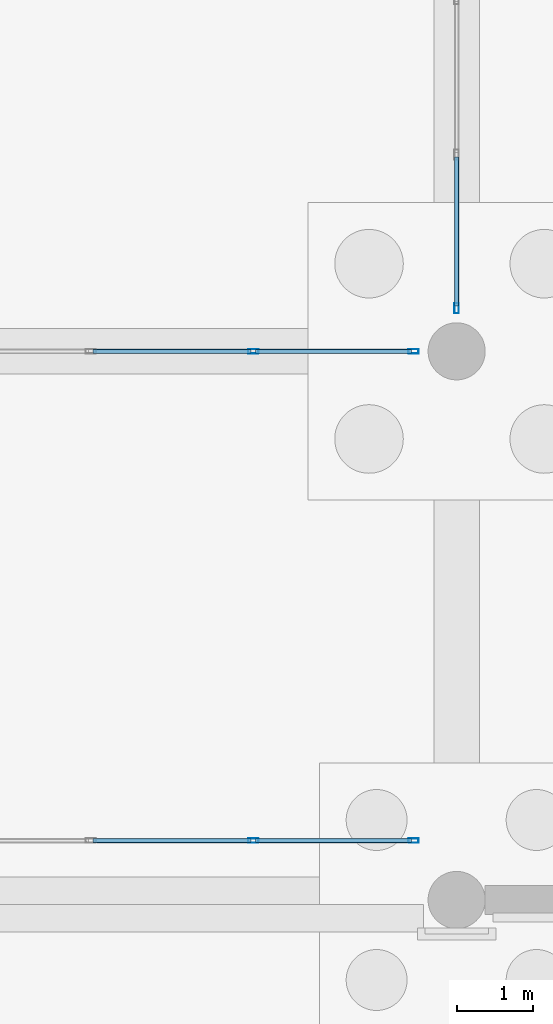
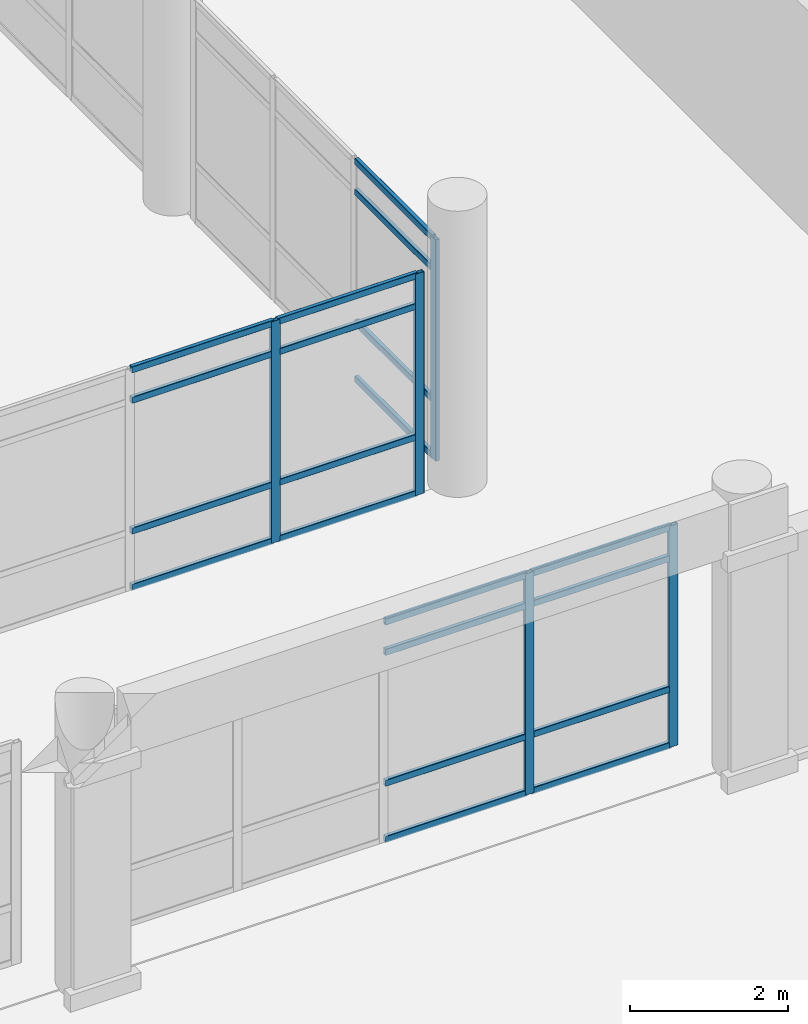
# One storey, part 105 of 196: 25 members, 3 elements without a shape of their own.
"""IFC4 building model written with IfcOpenShell, lengths in metres."""

from ifc_helpers import new_model, si_unit, direction, frame, origin, origin_2d, place, context, subcontext, project, spatial, hollow_rectangle, extrude, material, layer, layer_set, material_profile, profile_set, type_object, element, aggregate, save


model = new_model("IFC4")

# Units and contexts
model_context = context("Model", 3, precision=1e-05, world=origin(), true_north=direction((0.0, 1.0)))
body_context = subcontext(model_context, "Body", "Model", "MODEL_VIEW")
ifc_project = project(units=[si_unit("LENGTHUNIT", "METRE"), si_unit("AREAUNIT", "SQUARE_METRE"), si_unit("VOLUMEUNIT", "CUBIC_METRE"), si_unit("PLANEANGLEUNIT", "RADIAN"), si_unit("MASSUNIT", "GRAM", prefix="KILO")], contexts=[model_context])

# Site, building, storey
site_placement = place(None, origin())
site = spatial("IfcSite", under=ifc_project, at=site_placement, CompositionType="ELEMENT")
building_placement = place(site_placement, origin())
building = spatial("IfcBuilding", under=site, at=building_placement, Name="Asteropetra Specialist Clinic", CompositionType="ELEMENT")
storey_placement = place(building_placement, origin())
storey = spatial("IfcBuildingStorey", under=building, at=storey_placement, Name="L00", CompositionType="ELEMENT", Elevation=0.0)

# Curtain wall, members
ifc_material_1 = material(Name="Aluminium and low-E glass", Category="aluminium")
ifc_layer_1 = layer(ifc_material_1, 0.179931640625)
ifc_layer_set_1 = layer_set([ifc_layer_1], Name="Aluminium and low-E glass")
curtain_wall_type_1 = type_object("IfcCurtainWallType", Name="CW-SYS-04", PredefinedType="USERDEFINED", material=ifc_layer_set_1)
curtain_wall_1_placement = place(storey_placement, origin())
curtain_wall_1 = element("IfcCurtainWall", 1, at=curtain_wall_1_placement, inside=storey, type_object=curtain_wall_type_1, Name="Curtain Wall CW-011", ObjectType="UNITISED CURTAIN WALL", PredefinedType="USERDEFINED")
ifc_material_2 = material(Name="Aluminium 6063-T6", Category="aluminium")
ifc_material_profile_1 = material_profile(ifc_material_2, hollow_rectangle(XDim=0.06005859375, YDim=0.135009765625, WallThickness=0.00341796875, InnerFilletRadius=0.00341796875, OuterFilletRadius=0.007080078125, at=origin_2d()), Name="MUL 135x60x3.5")
ifc_profile_set_1 = profile_set([ifc_material_profile_1], Name="Aluminium 6063-T6")
member_type_1 = type_object("IfcMemberType", Name="CWM-135x60", PredefinedType="MULLION", material=ifc_profile_set_1)
member_1_placement = place(storey_placement, frame((64.532470703125, 76.800048828125, 0.0), z_axis=(0.0, 0.0, 1.0), x_axis=(0.0, 1.0, 0.0)))
member_1 = element("IfcMember", 2, at=member_1_placement, type_object=member_type_1, Name="CW-011 mullion 4", PredefinedType="MULLION", context=body_context, shape_type="SweptSolid", body=[
    extrude(hollow_rectangle(XDim=0.06005859375, YDim=0.135009765625, WallThickness=0.00341796875, InnerFilletRadius=0.00341796875, OuterFilletRadius=0.007080078125, at=origin_2d()), origin(), (0.0, 0.0, 1.0), 3.419921875),
])
member_2_placement = place(storey_placement, frame((66.635009765625, 76.800048828125, 0.0), z_axis=(0.0, 0.0, 1.0), x_axis=(0.0, 1.0, 0.0)))
member_2 = element("IfcMember", 3, at=member_2_placement, type_object=member_type_1, Name="CW-011 mullion 5", PredefinedType="MULLION", context=body_context, shape_type="SweptSolid", body=[
    extrude(hollow_rectangle(XDim=0.06005859375, YDim=0.135009765625, WallThickness=0.00341796875, InnerFilletRadius=0.00341796875, OuterFilletRadius=0.007080078125, at=origin_2d()), origin(), (0.0, 0.0, 1.0), 3.419921875),
])

# Curtain wall, member
ifc_material_3 = material(Name="Aluminium and low-E glass", Category="aluminium")
ifc_layer_2 = layer(ifc_material_3, 0.135009765625)
ifc_layer_set_2 = layer_set([ifc_layer_2], Name="Aluminium and low-E glass")
curtain_wall_type_2 = type_object("IfcCurtainWallType", Name="CW-SYS-06", PredefinedType="USERDEFINED", material=ifc_layer_set_2)
curtain_wall_2_placement = place(storey_placement, origin())
curtain_wall_2 = element("IfcCurtainWall", 4, at=curtain_wall_2_placement, inside=storey, type_object=curtain_wall_type_2, Name="Curtain Wall CW-014", ObjectType="UNITISED CURTAIN WALL", PredefinedType="USERDEFINED")
member_3_placement = place(storey_placement, frame((67.199951171875, 77.364990234375, 0.0), z_axis=(0.0, 0.0, 1.0), x_axis=(-1.0, 0.0, 0.0)))
member_3 = element("IfcMember", 5, at=member_3_placement, type_object=member_type_1, Name="CW-014 mullion 1", PredefinedType="MULLION", context=body_context, shape_type="SweptSolid", body=[
    extrude(hollow_rectangle(XDim=0.06005859375, YDim=0.135009765625, WallThickness=0.00341796875, InnerFilletRadius=0.00341796875, OuterFilletRadius=0.007080078125, at=origin_2d()), origin(), (0.0, 0.0, 1.0), 3.419921875),
])

# Curtain wall, members
ifc_material_4 = material(Name="Aluminium and low-E glass", Category="aluminium")
ifc_layer_3 = layer(ifc_material_4, 0.179931640625)
ifc_layer_set_3 = layer_set([ifc_layer_3], Name="Aluminium and low-E glass")
curtain_wall_type_3 = type_object("IfcCurtainWallType", Name="CW-SYS-10", PredefinedType="USERDEFINED", material=ifc_layer_set_3)
curtain_wall_3_placement = place(storey_placement, origin())
curtain_wall_3 = element("IfcCurtainWall", 6, at=curtain_wall_3_placement, inside=storey, type_object=curtain_wall_type_3, Name="Curtain Wall CW-185", ObjectType="STICK GLAZED COLONNADE", PredefinedType="USERDEFINED")
member_4_placement = place(storey_placement, frame((64.532470703125, 70.3798828125, 0.0), z_axis=(0.0, 0.0, 1.0), x_axis=(0.0, 1.0, 0.0)))
member_4 = element("IfcMember", 7, at=member_4_placement, type_object=member_type_1, Name="CW-185 mullion 4", PredefinedType="MULLION", context=body_context, shape_type="SweptSolid", body=[
    extrude(hollow_rectangle(XDim=0.06005859375, YDim=0.135009765625, WallThickness=0.00341796875, InnerFilletRadius=0.00341796875, OuterFilletRadius=0.007080078125, at=origin_2d()), origin(), (0.0, 0.0, 1.0), 3.419921875),
])
member_5_placement = place(storey_placement, frame((66.635009765625, 70.3798828125, 0.0), z_axis=(0.0, 0.0, 1.0), x_axis=(0.0, 1.0, 0.0)))
member_5 = element("IfcMember", 8, at=member_5_placement, type_object=member_type_1, Name="CW-185 mullion 5", PredefinedType="MULLION", context=body_context, shape_type="SweptSolid", body=[
    extrude(hollow_rectangle(XDim=0.06005859375, YDim=0.135009765625, WallThickness=0.00341796875, InnerFilletRadius=0.00341796875, OuterFilletRadius=0.007080078125, at=origin_2d()), origin(), (0.0, 0.0, 1.0), 3.419921875),
])

# Member
ifc_material_5 = material(Name="Aluminium 6063-T6", Category="aluminium")
ifc_material_profile_2 = material_profile(ifc_material_5, hollow_rectangle(XDim=0.06005859375, YDim=0.10009765625, WallThickness=0.00341796875, InnerFilletRadius=0.00341796875, OuterFilletRadius=0.007080078125, at=origin_2d()), Name="TRN 100x60x3.5")
ifc_profile_set_2 = profile_set([ifc_material_profile_2], Name="Aluminium 6063-T6")
member_type_2 = type_object("IfcMemberType", Name="CWT-100x60", PredefinedType="USERDEFINED", material=ifc_profile_set_2)
member_6_placement = place(storey_placement, frame((62.429931640625, 76.800048828125, 0.030029296875), z_axis=(1.0, 0.0, 0.0), x_axis=(0.0, 1.0, 0.0)))
member_6 = element("IfcMember", 9, at=member_6_placement, type_object=member_type_2, Name="CW-011 transom 3.1", ObjectType="TRANSOM", PredefinedType="USERDEFINED", context=body_context, shape_type="SweptSolid", body=[
    extrude(hollow_rectangle(XDim=0.06005859375, YDim=0.10009765625, WallThickness=0.00341796875, InnerFilletRadius=0.00341796875, OuterFilletRadius=0.007080078125, at=origin_2d()), origin(), (0.0, 0.0, 1.0), 2.072509765625),
])

member_7_placement = place(storey_placement, frame((62.429931640625, 76.800048828125, 0.89990234375), z_axis=(1.0, 0.0, 0.0), x_axis=(0.0, 1.0, 0.0)))
member_7 = element("IfcMember", 10, at=member_7_placement, type_object=member_type_2, Name="CW-011 transom 3.2", ObjectType="TRANSOM", PredefinedType="USERDEFINED", context=body_context, shape_type="SweptSolid", body=[
    extrude(hollow_rectangle(XDim=0.06005859375, YDim=0.10009765625, WallThickness=0.00341796875, InnerFilletRadius=0.00341796875, OuterFilletRadius=0.007080078125, at=origin_2d()), origin(), (0.0, 0.0, 1.0), 2.072509765625),
])

member_8_placement = place(storey_placement, frame((62.429931640625, 76.800048828125, 2.919921875), z_axis=(1.0, 0.0, 0.0), x_axis=(0.0, 1.0, 0.0)))
member_8 = element("IfcMember", 11, at=member_8_placement, type_object=member_type_2, Name="CW-011 transom 3.3", ObjectType="TRANSOM", PredefinedType="USERDEFINED", context=body_context, shape_type="SweptSolid", body=[
    extrude(hollow_rectangle(XDim=0.06005859375, YDim=0.10009765625, WallThickness=0.00341796875, InnerFilletRadius=0.00341796875, OuterFilletRadius=0.007080078125, at=origin_2d()), origin(), (0.0, 0.0, 1.0), 2.072509765625),
])

member_9_placement = place(storey_placement, frame((62.429931640625, 76.800048828125, 3.389892578125), z_axis=(1.0, 0.0, 0.0), x_axis=(0.0, 1.0, 0.0)))
member_9 = element("IfcMember", 12, at=member_9_placement, type_object=member_type_2, Name="CW-011 transom 3.4", ObjectType="TRANSOM", PredefinedType="USERDEFINED", context=body_context, shape_type="SweptSolid", body=[
    extrude(hollow_rectangle(XDim=0.06005859375, YDim=0.10009765625, WallThickness=0.00341796875, InnerFilletRadius=0.00341796875, OuterFilletRadius=0.007080078125, at=origin_2d()), origin(), (0.0, 0.0, 1.0), 2.072509765625),
])

member_10_placement = place(storey_placement, frame((64.5625, 76.800048828125, 0.030029296875), z_axis=(1.0, 0.0, 0.0), x_axis=(0.0, 1.0, 0.0)))
member_10 = element("IfcMember", 13, at=member_10_placement, type_object=member_type_2, Name="CW-011 transom 4.1", ObjectType="TRANSOM", PredefinedType="USERDEFINED", context=body_context, shape_type="SweptSolid", body=[
    extrude(hollow_rectangle(XDim=0.06005859375, YDim=0.10009765625, WallThickness=0.00341796875, InnerFilletRadius=0.00341796875, OuterFilletRadius=0.007080078125, at=origin_2d()), origin(), (0.0, 0.0, 1.0), 2.04248046875),
])

member_11_placement = place(storey_placement, frame((64.5625, 76.800048828125, 0.89990234375), z_axis=(1.0, 0.0, 0.0), x_axis=(0.0, 1.0, 0.0)))
member_11 = element("IfcMember", 14, at=member_11_placement, type_object=member_type_2, Name="CW-011 transom 4.2", ObjectType="TRANSOM", PredefinedType="USERDEFINED", context=body_context, shape_type="SweptSolid", body=[
    extrude(hollow_rectangle(XDim=0.06005859375, YDim=0.10009765625, WallThickness=0.00341796875, InnerFilletRadius=0.00341796875, OuterFilletRadius=0.007080078125, at=origin_2d()), origin(), (0.0, 0.0, 1.0), 2.04248046875),
])

member_12_placement = place(storey_placement, frame((64.5625, 76.800048828125, 2.919921875), z_axis=(1.0, 0.0, 0.0), x_axis=(0.0, 1.0, 0.0)))
member_12 = element("IfcMember", 15, at=member_12_placement, type_object=member_type_2, Name="CW-011 transom 4.3", ObjectType="TRANSOM", PredefinedType="USERDEFINED", context=body_context, shape_type="SweptSolid", body=[
    extrude(hollow_rectangle(XDim=0.06005859375, YDim=0.10009765625, WallThickness=0.00341796875, InnerFilletRadius=0.00341796875, OuterFilletRadius=0.007080078125, at=origin_2d()), origin(), (0.0, 0.0, 1.0), 2.04248046875),
])

member_13_placement = place(storey_placement, frame((64.5625, 76.800048828125, 3.389892578125), z_axis=(1.0, 0.0, 0.0), x_axis=(0.0, 1.0, 0.0)))
member_13 = element("IfcMember", 16, at=member_13_placement, type_object=member_type_2, Name="CW-011 transom 4.4", ObjectType="TRANSOM", PredefinedType="USERDEFINED", context=body_context, shape_type="SweptSolid", body=[
    extrude(hollow_rectangle(XDim=0.06005859375, YDim=0.10009765625, WallThickness=0.00341796875, InnerFilletRadius=0.00341796875, OuterFilletRadius=0.007080078125, at=origin_2d()), origin(), (0.0, 0.0, 1.0), 2.04248046875),
])

aggregate(curtain_wall_1, [member_1, member_2, member_6, member_7, member_8, member_9, member_10, member_11, member_12, member_13])

member_14_placement = place(storey_placement, frame((67.199951171875, 77.39501953125, 0.030029296875), z_axis=(0.0, 1.0, 0.0), x_axis=(-1.0, 0.0, 0.0)))
member_14 = element("IfcMember", 17, at=member_14_placement, type_object=member_type_2, Name="CW-014 transom 1.1", ObjectType="TRANSOM", PredefinedType="USERDEFINED", context=body_context, shape_type="SweptSolid", body=[
    extrude(hollow_rectangle(XDim=0.06005859375, YDim=0.10009765625, WallThickness=0.00341796875, InnerFilletRadius=0.00341796875, OuterFilletRadius=0.007080078125, at=origin_2d()), origin(), (0.0, 0.0, 1.0), 1.953369140625),
])

member_15_placement = place(storey_placement, frame((67.199951171875, 77.39501953125, 0.89990234375), z_axis=(0.0, 1.0, 0.0), x_axis=(-1.0, 0.0, 0.0)))
member_15 = element("IfcMember", 18, at=member_15_placement, type_object=member_type_2, Name="CW-014 transom 1.2", ObjectType="TRANSOM", PredefinedType="USERDEFINED", context=body_context, shape_type="SweptSolid", body=[
    extrude(hollow_rectangle(XDim=0.06005859375, YDim=0.10009765625, WallThickness=0.00341796875, InnerFilletRadius=0.00341796875, OuterFilletRadius=0.007080078125, at=origin_2d()), origin(), (0.0, 0.0, 1.0), 1.953369140625),
])

member_16_placement = place(storey_placement, frame((67.199951171875, 77.39501953125, 2.919921875), z_axis=(0.0, 1.0, 0.0), x_axis=(-1.0, 0.0, 0.0)))
member_16 = element("IfcMember", 19, at=member_16_placement, type_object=member_type_2, Name="CW-014 transom 1.3", ObjectType="TRANSOM", PredefinedType="USERDEFINED", context=body_context, shape_type="SweptSolid", body=[
    extrude(hollow_rectangle(XDim=0.06005859375, YDim=0.10009765625, WallThickness=0.00341796875, InnerFilletRadius=0.00341796875, OuterFilletRadius=0.007080078125, at=origin_2d()), origin(), (0.0, 0.0, 1.0), 1.953369140625),
])

member_17_placement = place(storey_placement, frame((67.199951171875, 77.39501953125, 3.389892578125), z_axis=(0.0, 1.0, 0.0), x_axis=(-1.0, 0.0, 0.0)))
member_17 = element("IfcMember", 20, at=member_17_placement, type_object=member_type_2, Name="CW-014 transom 1.4", ObjectType="TRANSOM", PredefinedType="USERDEFINED", context=body_context, shape_type="SweptSolid", body=[
    extrude(hollow_rectangle(XDim=0.06005859375, YDim=0.10009765625, WallThickness=0.00341796875, InnerFilletRadius=0.00341796875, OuterFilletRadius=0.007080078125, at=origin_2d()), origin(), (0.0, 0.0, 1.0), 1.953369140625),
])

aggregate(curtain_wall_2, [member_3, member_14, member_15, member_16, member_17])

member_18_placement = place(storey_placement, frame((62.429931640625, 70.3798828125, 0.030029296875), z_axis=(1.0, 0.0, 0.0), x_axis=(0.0, 1.0, 0.0)))
member_18 = element("IfcMember", 21, at=member_18_placement, type_object=member_type_2, Name="CW-185 transom 3.1", ObjectType="TRANSOM", PredefinedType="USERDEFINED", context=body_context, shape_type="SweptSolid", body=[
    extrude(hollow_rectangle(XDim=0.06005859375, YDim=0.10009765625, WallThickness=0.00341796875, InnerFilletRadius=0.00341796875, OuterFilletRadius=0.007080078125, at=origin_2d()), origin(), (0.0, 0.0, 1.0), 2.072509765625),
])

member_19_placement = place(storey_placement, frame((62.429931640625, 70.3798828125, 0.89990234375), z_axis=(1.0, 0.0, 0.0), x_axis=(0.0, 1.0, 0.0)))
member_19 = element("IfcMember", 22, at=member_19_placement, type_object=member_type_2, Name="CW-185 transom 3.2", ObjectType="TRANSOM", PredefinedType="USERDEFINED", context=body_context, shape_type="SweptSolid", body=[
    extrude(hollow_rectangle(XDim=0.06005859375, YDim=0.10009765625, WallThickness=0.00341796875, InnerFilletRadius=0.00341796875, OuterFilletRadius=0.007080078125, at=origin_2d()), origin(), (0.0, 0.0, 1.0), 2.072509765625),
])

member_20_placement = place(storey_placement, frame((62.429931640625, 70.3798828125, 2.919921875), z_axis=(1.0, 0.0, 0.0), x_axis=(0.0, 1.0, 0.0)))
member_20 = element("IfcMember", 23, at=member_20_placement, type_object=member_type_2, Name="CW-185 transom 3.3", ObjectType="TRANSOM", PredefinedType="USERDEFINED", context=body_context, shape_type="SweptSolid", body=[
    extrude(hollow_rectangle(XDim=0.06005859375, YDim=0.10009765625, WallThickness=0.00341796875, InnerFilletRadius=0.00341796875, OuterFilletRadius=0.007080078125, at=origin_2d()), origin(), (0.0, 0.0, 1.0), 2.072509765625),
])

member_21_placement = place(storey_placement, frame((62.429931640625, 70.3798828125, 3.389892578125), z_axis=(1.0, 0.0, 0.0), x_axis=(0.0, 1.0, 0.0)))
member_21 = element("IfcMember", 24, at=member_21_placement, type_object=member_type_2, Name="CW-185 transom 3.4", ObjectType="TRANSOM", PredefinedType="USERDEFINED", context=body_context, shape_type="SweptSolid", body=[
    extrude(hollow_rectangle(XDim=0.06005859375, YDim=0.10009765625, WallThickness=0.00341796875, InnerFilletRadius=0.00341796875, OuterFilletRadius=0.007080078125, at=origin_2d()), origin(), (0.0, 0.0, 1.0), 2.072509765625),
])

member_22_placement = place(storey_placement, frame((64.5625, 70.3798828125, 0.030029296875), z_axis=(1.0, 0.0, 0.0), x_axis=(0.0, 1.0, 0.0)))
member_22 = element("IfcMember", 25, at=member_22_placement, type_object=member_type_2, Name="CW-185 transom 4.1", ObjectType="TRANSOM", PredefinedType="USERDEFINED", context=body_context, shape_type="SweptSolid", body=[
    extrude(hollow_rectangle(XDim=0.06005859375, YDim=0.10009765625, WallThickness=0.00341796875, InnerFilletRadius=0.00341796875, OuterFilletRadius=0.007080078125, at=origin_2d()), origin(), (0.0, 0.0, 1.0), 2.04248046875),
])

member_23_placement = place(storey_placement, frame((64.5625, 70.3798828125, 0.89990234375), z_axis=(1.0, 0.0, 0.0), x_axis=(0.0, 1.0, 0.0)))
member_23 = element("IfcMember", 26, at=member_23_placement, type_object=member_type_2, Name="CW-185 transom 4.2", ObjectType="TRANSOM", PredefinedType="USERDEFINED", context=body_context, shape_type="SweptSolid", body=[
    extrude(hollow_rectangle(XDim=0.06005859375, YDim=0.10009765625, WallThickness=0.00341796875, InnerFilletRadius=0.00341796875, OuterFilletRadius=0.007080078125, at=origin_2d()), origin(), (0.0, 0.0, 1.0), 2.04248046875),
])

member_24_placement = place(storey_placement, frame((64.5625, 70.3798828125, 2.919921875), z_axis=(1.0, 0.0, 0.0), x_axis=(0.0, 1.0, 0.0)))
member_24 = element("IfcMember", 27, at=member_24_placement, type_object=member_type_2, Name="CW-185 transom 4.3", ObjectType="TRANSOM", PredefinedType="USERDEFINED", context=body_context, shape_type="SweptSolid", body=[
    extrude(hollow_rectangle(XDim=0.06005859375, YDim=0.10009765625, WallThickness=0.00341796875, InnerFilletRadius=0.00341796875, OuterFilletRadius=0.007080078125, at=origin_2d()), origin(), (0.0, 0.0, 1.0), 2.04248046875),
])

member_25_placement = place(storey_placement, frame((64.5625, 70.3798828125, 3.389892578125), z_axis=(1.0, 0.0, 0.0), x_axis=(0.0, 1.0, 0.0)))
member_25 = element("IfcMember", 28, at=member_25_placement, type_object=member_type_2, Name="CW-185 transom 4.4", ObjectType="TRANSOM", PredefinedType="USERDEFINED", context=body_context, shape_type="SweptSolid", body=[
    extrude(hollow_rectangle(XDim=0.06005859375, YDim=0.10009765625, WallThickness=0.00341796875, InnerFilletRadius=0.00341796875, OuterFilletRadius=0.007080078125, at=origin_2d()), origin(), (0.0, 0.0, 1.0), 2.04248046875),
])

aggregate(curtain_wall_3, [member_4, member_5, member_18, member_19, member_20, member_21, member_22, member_23, member_24, member_25])

save(model, "model.ifc")
